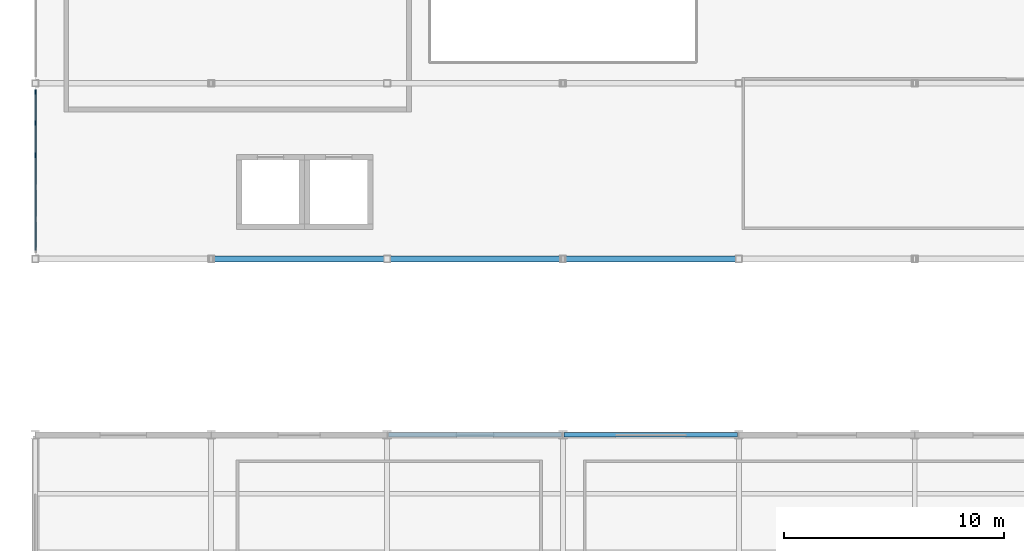
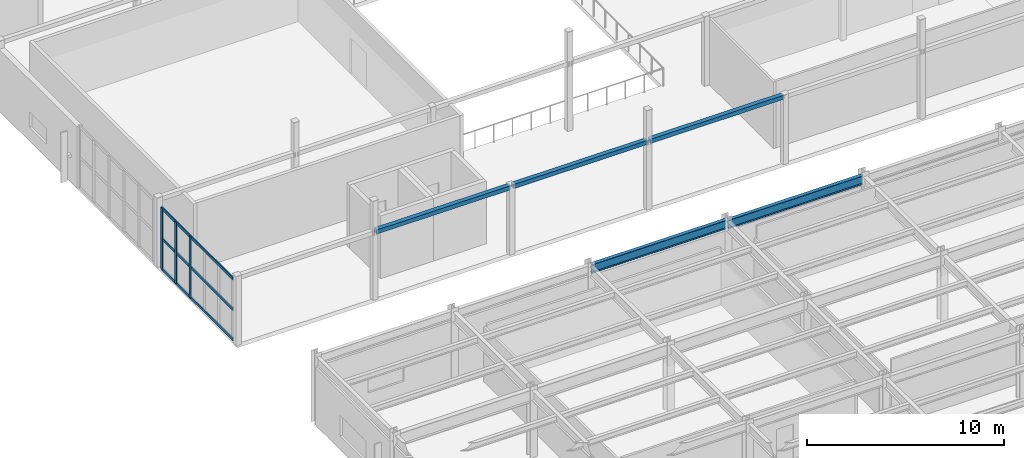
# One storey, part 19 of 83: 9 members, 2 beams, 1 element without a shape of its own.
"""IFC4 building model written with IfcOpenShell, lengths in metres."""

from ifc_helpers import new_model, si_unit, direction, frame, origin, origin_2d, place, context, subcontext, project, spatial, rectangle, hollow_rectangle, i_section, extrude, material, material_profile, profile_set, type_object, element, aggregate, save


model = new_model("IFC4")

# Units and contexts
model_context = context("Model", 3, precision=1e-05, world=origin(), true_north=direction((0.0, 1.0)))
body_context = subcontext(model_context, "Body", "Model", "MODEL_VIEW")
ifc_project = project(units=[si_unit("LENGTHUNIT", "METRE"), si_unit("AREAUNIT", "SQUARE_METRE"), si_unit("VOLUMEUNIT", "CUBIC_METRE"), si_unit("PLANEANGLEUNIT", "RADIAN"), si_unit("MASSUNIT", "GRAM", prefix="KILO")], contexts=[model_context])

# Site, building, storey
site_placement = place(None, origin())
site = spatial("IfcSite", under=ifc_project, at=site_placement, CompositionType="ELEMENT")
building_placement = place(site_placement, origin())
building = spatial("IfcBuilding", under=site, at=building_placement, Name="Drelvath Fold Interchange", CompositionType="ELEMENT")
storey_placement = place(building_placement, frame((0.0, 0.0, 11.199951171875)))
storey = spatial("IfcBuildingStorey", under=building, at=storey_placement, Name="L02", CompositionType="ELEMENT", Elevation=11.199951171875)

# Beams
ifc_material_1 = material(Name="Steel ASTM A992 Grade 50", Category="steel")
ifc_material_profile_1 = material_profile(ifc_material_1, i_section(OverallWidth=0.2099609375, OverallDepth=0.537109375, WebThickness=0.010986328125, FlangeThickness=0.017333984375, at=origin_2d()), Name="W21X68")
ifc_profile_set_1 = profile_set([ifc_material_profile_1], Name="Steel ASTM A992 Grade 50")
beam_type = type_object("IfcBeamType", Name="BM-W21X68", PredefinedType="SPANDREL", material=ifc_profile_set_1)
for number, where, z_axis, x_axis, name in (
    (1, (20.06005859375, 51.0, 3.901123046875), (1.0, 0.0, 0.0), (0.0, 1.0, 0.0), "L02 Primary X girder BM-W21X68"),
    (2, (28.06005859375, 51.0, 3.85205078125), (1.0, 0.0, 0.0), (0.0, 1.0, 0.0), "L02 Primary X girder BM-W21X68"),
):
    element("IfcBeam", number, at=place(storey_placement, frame(where, z_axis=z_axis, x_axis=x_axis)), inside=storey, type_object=beam_type, Name=name, PredefinedType="SPANDREL", context=body_context, shape_type="SweptSolid", body=[
        extrude(i_section(OverallWidth=0.2099609375, OverallDepth=0.537109375, WebThickness=0.010986328125, FlangeThickness=0.017333984375, at=origin_2d()), origin(), (0.0, 0.0, 1.0), 7.8798828125),
    ])

# Members
ifc_material_2 = material(Name="Steel ASTM A500 Grade C", Category="steel")
ifc_material_profile_2 = material_profile(ifc_material_2, hollow_rectangle(XDim=0.25390625, YDim=0.25390625, WallThickness=0.01171875, at=origin_2d()), Name="HSS10X10X1/2")
ifc_profile_set_2 = profile_set([ifc_material_profile_2], Name="Steel ASTM A500 Grade C")
member_type_1 = type_object("IfcMemberType", Name="FP-CHD254", PredefinedType="CHORD", material=ifc_profile_set_2)
for number, where, z_axis, x_axis, name in (
    (3, (12.080078125, 59.0, 4.150146484375), (1.0, 0.0, 0.0), (0.0, 1.0, 0.0), "L02 Folded-plate roof truss tie chord FP-CHD254"),
    (4, (20.080078125, 59.0, 4.150146484375), (1.0, 0.0, 0.0), (0.0, 1.0, 0.0), "L02 Folded-plate roof truss tie chord FP-CHD254"),
    (5, (28.080078125, 59.0, 4.150146484375), (1.0, 0.0, 0.0), (0.0, 1.0, 0.0), "L02 Folded-plate roof truss tie chord FP-CHD254"),
):
    element("IfcMember", number, at=place(storey_placement, frame(where, z_axis=z_axis, x_axis=x_axis)), inside=storey, type_object=member_type_1, Name=name, PredefinedType="CHORD", context=body_context, shape_type="SweptSolid", body=[
        extrude(hollow_rectangle(XDim=0.25390625, YDim=0.25390625, WallThickness=0.01171875, at=origin_2d()), origin(), (0.0, 0.0, 1.0), 7.83984375),
    ])

# Curtain wall, members
ifc_material_3 = material(Name="Anodized Aluminium 6063-T6", Category="aluminium")
curtain_wall_type = type_object("IfcCurtainWallType", Name="CW-CON-520", PredefinedType="USERDEFINED", material=ifc_material_3)
curtain_wall_placement = place(storey_placement, origin())
curtain_wall = element("IfcCurtainWall", 6, at=curtain_wall_placement, inside=storey, type_object=curtain_wall_type, Name="Curtain wall CW-V1-L02-W59", ObjectType="UNITISED CURTAIN WALL", PredefinedType="USERDEFINED")
ifc_material_profile_3 = material_profile(ifc_material_3, rectangle(XDim=0.06494140625, YDim=0.219970703125, at=origin_2d()), Name="AL-M 65x220")
ifc_profile_set_3 = profile_set([ifc_material_profile_3], Name="Anodized Aluminium 6063-T6")
member_type_2 = type_object("IfcMemberType", Name="ML-220", PredefinedType="MULLION", material=ifc_profile_set_3)
member_1_placement = place(storey_placement, frame((4.0, 63.72802734375, 0.0), z_axis=(0.0, 0.0, 1.0), x_axis=(1.0, 0.0, 0.0)))
member_1 = element("IfcMember", 7, at=member_1_placement, type_object=member_type_2, Name="CW-V1-L02-W59 mullion 3", PredefinedType="MULLION", context=body_context, shape_type="SweptSolid", body=[
    extrude(rectangle(XDim=0.06494140625, YDim=0.219970703125, at=origin_2d()), origin(), (0.0, 0.0, 1.0), 3.800048828125),
])
member_2_placement = place(storey_placement, frame((4.0, 65.18408203125, 0.0), z_axis=(0.0, 0.0, 1.0), x_axis=(1.0, 0.0, 0.0)))
member_2 = element("IfcMember", 8, at=member_2_placement, type_object=member_type_2, Name="CW-V1-L02-W59 mullion 4", PredefinedType="MULLION", context=body_context, shape_type="SweptSolid", body=[
    extrude(rectangle(XDim=0.06494140625, YDim=0.219970703125, at=origin_2d()), origin(), (0.0, 0.0, 1.0), 3.800048828125),
])
member_3_placement = place(storey_placement, frame((4.0, 66.60009765625, 0.0), z_axis=(0.0, 0.0, 1.0), x_axis=(1.0, 0.0, 0.0)))
member_3 = element("IfcMember", 9, at=member_3_placement, type_object=member_type_2, Name="CW-V1-L02-W59 mullion 5", PredefinedType="MULLION", context=body_context, shape_type="SweptSolid", body=[
    extrude(rectangle(XDim=0.06494140625, YDim=0.219970703125, at=origin_2d()), origin(), (0.0, 0.0, 1.0), 3.800048828125),
])
ifc_material_profile_4 = material_profile(ifc_material_3, rectangle(XDim=0.06494140625, YDim=0.179931640625, at=origin_2d()), Name="AL-T 65x180")
ifc_profile_set_4 = profile_set([ifc_material_profile_4], Name="Anodized Aluminium 6063-T6")
member_type_3 = type_object("IfcMemberType", Name="TR-180", PredefinedType="USERDEFINED", material=ifc_profile_set_4)
member_4_placement = place(storey_placement, frame((4.0, 59.39990234375, 0.030029296875), z_axis=(0.0, 1.0, 0.0), x_axis=(-1.0, 0.0, 0.0)))
member_4 = element("IfcMember", 10, at=member_4_placement, type_object=member_type_3, Name="CW-V1-L02-W59 transom 0", ObjectType="TRANSOM", PredefinedType="USERDEFINED", context=body_context, shape_type="SweptSolid", body=[
    extrude(rectangle(XDim=0.06494140625, YDim=0.179931640625, at=origin_2d()), origin(), (0.0, 0.0, 1.0), 7.2001953125),
])
member_5_placement = place(storey_placement, frame((4.0, 59.39990234375, 1.900146484375), z_axis=(0.0, 1.0, 0.0), x_axis=(-1.0, 0.0, 0.0)))
member_5 = element("IfcMember", 11, at=member_5_placement, type_object=member_type_3, Name="CW-V1-L02-W59 transom 1", ObjectType="TRANSOM", PredefinedType="USERDEFINED", context=body_context, shape_type="SweptSolid", body=[
    extrude(rectangle(XDim=0.06494140625, YDim=0.179931640625, at=origin_2d()), origin(), (0.0, 0.0, 1.0), 7.2001953125),
])
member_6_placement = place(storey_placement, frame((4.0, 59.39990234375, 3.77001953125), z_axis=(0.0, 1.0, 0.0), x_axis=(-1.0, 0.0, 0.0)))
member_6 = element("IfcMember", 12, at=member_6_placement, type_object=member_type_3, Name="CW-V1-L02-W59 transom 2", ObjectType="TRANSOM", PredefinedType="USERDEFINED", context=body_context, shape_type="SweptSolid", body=[
    extrude(rectangle(XDim=0.06494140625, YDim=0.179931640625, at=origin_2d()), origin(), (0.0, 0.0, 1.0), 7.2001953125),
])
aggregate(curtain_wall, [member_1, member_2, member_3, member_4, member_5, member_6])

save(model, "model.ifc")
